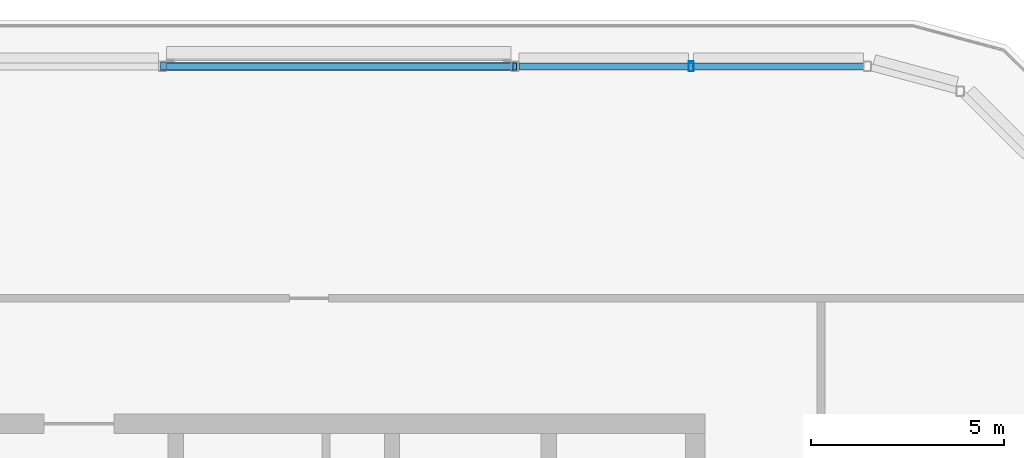
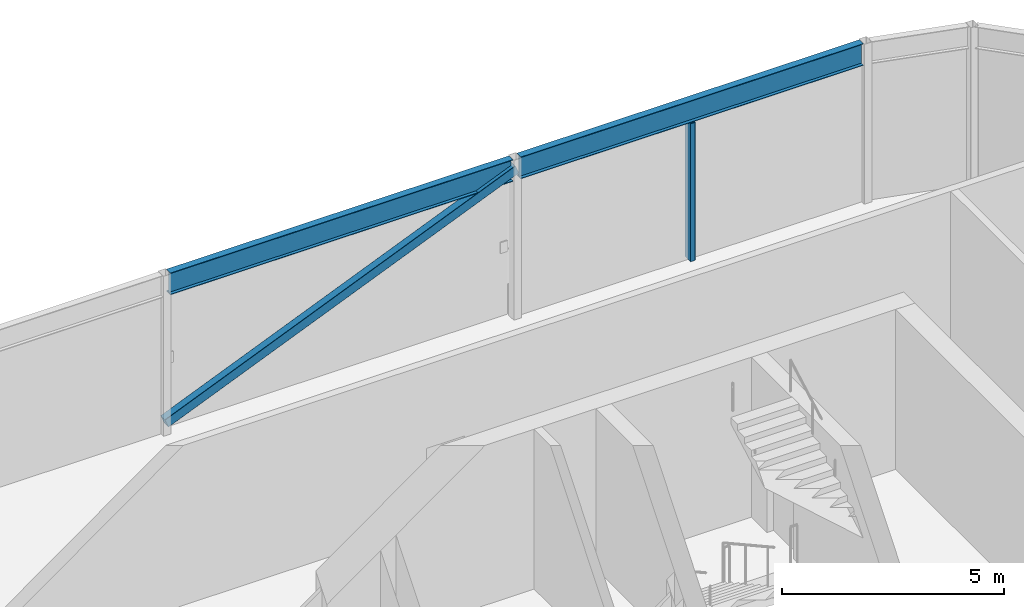
# One storey, part 13 of 29: 2 beams, 2 members.
"""IFC4 building model written with IfcOpenShell, lengths in metres."""

from ifc_helpers import new_model, si_unit, direction, frame, origin, origin_2d, place, context, subcontext, project, spatial, hollow_rectangle, i_section, extrude, material, material_profile, profile_set, type_object, element, save


model = new_model("IFC4")

# Units and contexts
model_context = context("Model", 3, precision=1e-05, world=origin(), true_north=direction((0.0, 1.0)))
body_context = subcontext(model_context, "Body", "Model", "MODEL_VIEW")
ifc_project = project(units=[si_unit("LENGTHUNIT", "METRE"), si_unit("AREAUNIT", "SQUARE_METRE"), si_unit("VOLUMEUNIT", "CUBIC_METRE"), si_unit("PLANEANGLEUNIT", "RADIAN"), si_unit("MASSUNIT", "GRAM", prefix="KILO")], contexts=[model_context])

# Site, building, storey
site_placement = place(None, origin())
site = spatial("IfcSite", under=ifc_project, at=site_placement, CompositionType="ELEMENT")
building_placement = place(site_placement, origin())
building = spatial("IfcBuilding", under=site, at=building_placement, Name="Madar Terraces", CompositionType="ELEMENT")
storey_placement = place(building_placement, frame((0.0, 0.0, 296.300048828125)))
storey = spatial("IfcBuildingStorey", under=building, at=storey_placement, Name="L77", CompositionType="ELEMENT", Elevation=296.300048828125)

# Beams
ifc_material_1 = material(Name="Steel ASTM A992 Grade 50", Category="steel")
ifc_material_profile_1 = material_profile(ifc_material_1, i_section(OverallWidth=0.1787109375, OverallDepth=0.60205078125, WebThickness=0.010986328125, FlangeThickness=0.014892578125, at=origin_2d()), Name="W24x62")
ifc_profile_set_1 = profile_set([ifc_material_profile_1], Name="Steel ASTM A992 Grade 50")
beam_type = type_object("IfcBeamType", Name="CF2 W24x62", PredefinedType="BEAM", material=ifc_profile_set_1)
for number, where, z_axis, x_axis, name in (
    (1, (51.498291015625, 46.800048828125, 4.098876953125), (-1.0, 0.0, 0.0), (0.0, -1.0, 0.0), "Crown frame ring beam CF2"),
    (2, (42.37841796875, 46.800048828125, 4.098876953125), (-1.0, 0.0, 0.0), (0.0, -1.0, 0.0), "Crown frame ring beam CF2"),
):
    element("IfcBeam", number, at=place(storey_placement, frame(where, z_axis=z_axis, x_axis=x_axis)), inside=storey, type_object=beam_type, Name=name, PredefinedType="BEAM", context=body_context, shape_type="SweptSolid", body=[
        extrude(i_section(OverallWidth=0.1787109375, OverallDepth=0.60205078125, WebThickness=0.010986328125, FlangeThickness=0.014892578125, at=origin_2d()), origin(), (0.0, 0.0, 1.0), 8.916748046875),
    ])

# Members
ifc_material_2 = material(Name="Steel ASTM A500 Grade C", Category="steel")
ifc_material_profile_2 = material_profile(ifc_material_2, hollow_rectangle(XDim=0.203125, YDim=0.25390625, WallThickness=0.009521484375, InnerFilletRadius=0.00439453125, OuterFilletRadius=0.01318359375, at=origin_2d()), Name="HSS10x8x.375")
ifc_profile_set_2 = profile_set([ifc_material_profile_2], Name="Steel ASTM A500 Grade C")
member_type_1 = type_object("IfcMemberType", Name="CF5 crown frame brace HSS10x8x.375", PredefinedType="BRACE", material=ifc_profile_set_2)
member_1_placement = place(storey_placement, frame((42.47998046875, 46.800048828125, 4.098876953125), z_axis=(-0.923117129882, 0.0, -0.384518874072), x_axis=(0.0, -1.0, 0.0)))
element("IfcMember", 3, at=member_1_placement, inside=storey, type_object=member_type_1, Name="Crown frame brace CF5", PredefinedType="BRACE", context=body_context, shape_type="SweptSolid", body=[
    extrude(hollow_rectangle(XDim=0.203125, YDim=0.25390625, WallThickness=0.009521484375, InnerFilletRadius=0.00439453125, OuterFilletRadius=0.01318359375, at=origin_2d()), origin(), (0.0, 0.0, 1.0), 9.87939453125),
])
ifc_material_3 = material(Name="Steel ASTM A500 Grade C", Category="steel")
ifc_material_profile_3 = material_profile(ifc_material_3, hollow_rectangle(XDim=0.126953125, YDim=0.25390625, WallThickness=0.00634765625, InnerFilletRadius=0.0029296875, OuterFilletRadius=0.0087890625, at=origin_2d()), Name="HSS10x5x.25")
ifc_profile_set_3 = profile_set([ifc_material_profile_3], Name="Steel ASTM A500 Grade C")
member_type_2 = type_object("IfcMemberType", Name="LS2 HSS10x5x.25", PredefinedType="POST", material=ifc_profile_set_3)
member_2_placement = place(storey_placement, frame((47.0400390625, 46.800048828125, 0.0), z_axis=(0.0, 0.0, 1.0), x_axis=(-1.0, 0.0, 0.0)))
element("IfcMember", 4, at=member_2_placement, inside=storey, type_object=member_type_2, Name="Crown louvre post LS2", PredefinedType="POST", context=body_context, shape_type="SweptSolid", body=[
    extrude(hollow_rectangle(XDim=0.126953125, YDim=0.25390625, WallThickness=0.00634765625, InnerFilletRadius=0.0029296875, OuterFilletRadius=0.0087890625, at=origin_2d()), origin(), (0.0, 0.0, 1.0), 3.7978515625),
])

save(model, "model.ifc")
